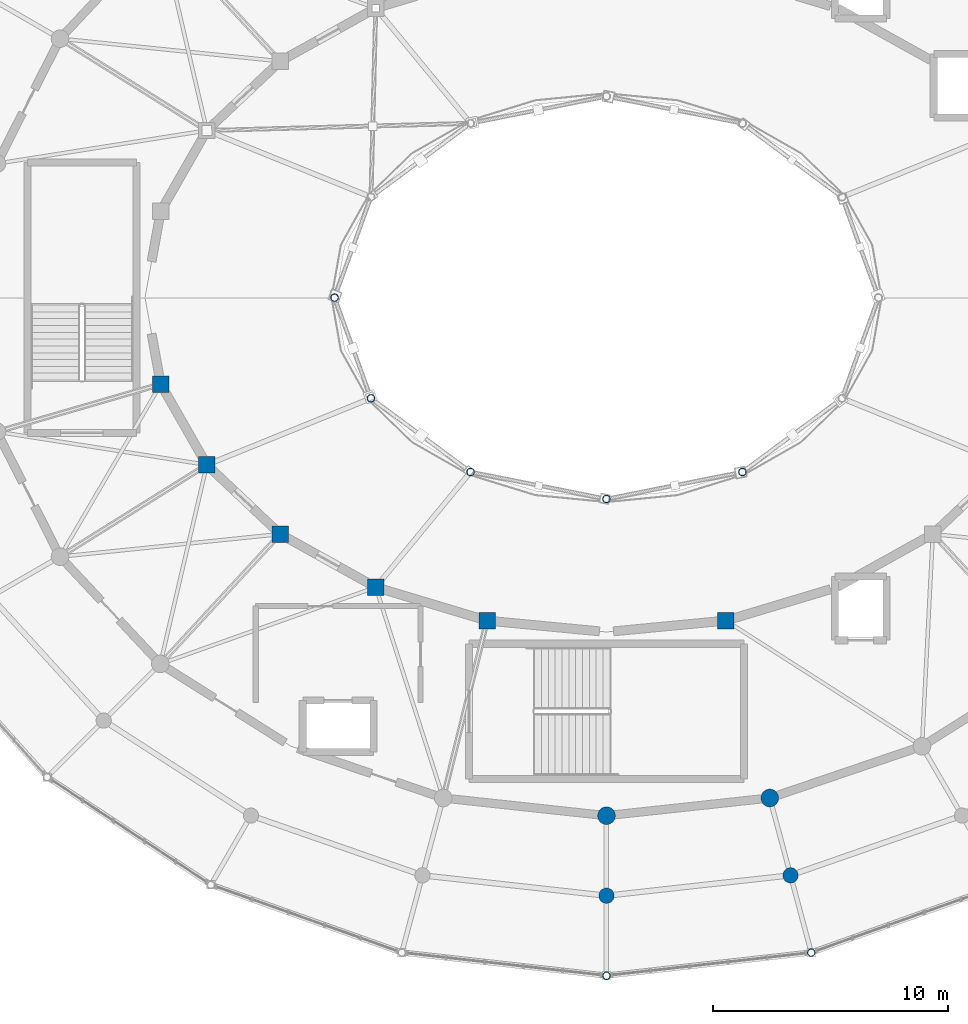
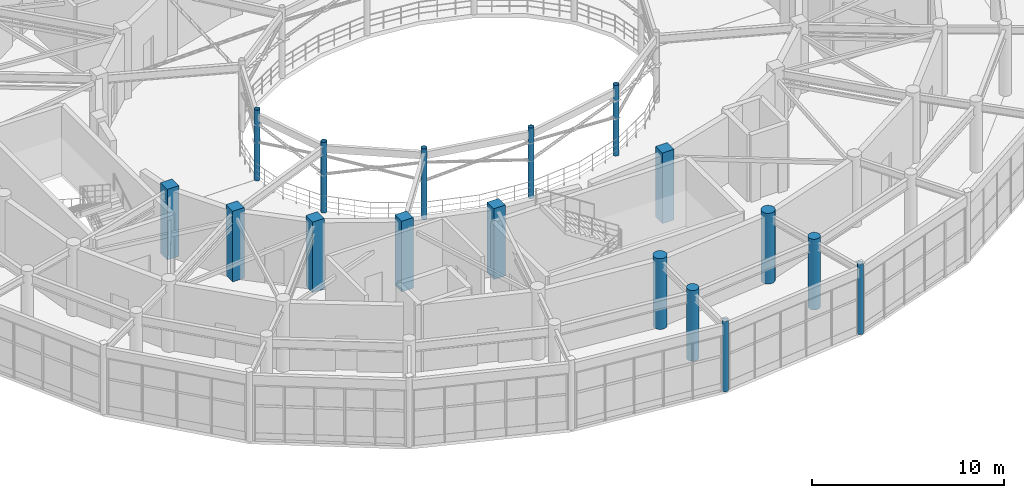
# One storey, part 4 of 60: 17 columns.
"""IFC4 building model written with IfcOpenShell, lengths in metres."""

from ifc_helpers import new_model, si_unit, direction, frame, origin, origin_2d, place, context, subcontext, project, spatial, rectangle, circle, hollow_circle, extrude, material, material_profile, profile_set, type_object, element, save


model = new_model("IFC4")

# Units and contexts
model_context = context("Model", 3, precision=1e-05, world=origin(), true_north=direction((0.0, 1.0)))
body_context = subcontext(model_context, "Body", "Model", "MODEL_VIEW")
ifc_project = project(units=[si_unit("LENGTHUNIT", "METRE"), si_unit("AREAUNIT", "SQUARE_METRE"), si_unit("VOLUMEUNIT", "CUBIC_METRE"), si_unit("PLANEANGLEUNIT", "RADIAN"), si_unit("MASSUNIT", "GRAM", prefix="KILO")], contexts=[model_context])

# Site, building, storey
site_placement = place(None, origin())
site = spatial("IfcSite", under=ifc_project, at=site_placement, CompositionType="ELEMENT")
building_placement = place(site_placement, origin())
building = spatial("IfcBuilding", under=site, at=building_placement, Name="Cinderbank Siding Concert Hall", CompositionType="ELEMENT")
storey_placement = place(building_placement, frame((0.0, 0.0, 14.699951171875)))
storey = spatial("IfcBuildingStorey", under=building, at=storey_placement, Name="L04", CompositionType="ELEMENT", Elevation=14.699951171875)

# Columns
ifc_material_1 = material(Name="Structural steel hollow section AS/NZS 1163 Grade C350L0 (350 MPa)", Category="steel")
ifc_material_profile_1 = material_profile(ifc_material_1, hollow_circle(Radius=0.161865234375, WallThickness=0.0126953125, at=origin_2d()), Name="323.9x12.7CHS", Category="LoadBearing")
ifc_profile_set_1 = profile_set([ifc_material_profile_1], Name="Structural steel hollow section AS/NZS 1163 Grade C350L0 (350 MPa)")
column_type_1 = type_object("IfcColumnType", Name="C-CHS323 323.9x12.7CHS", PredefinedType="COLUMN", material=ifc_profile_set_1)
for number, where, z_axis, x_axis, name in (
    (1, (122.0, 15.199951171875, 0.0), (0.0, 0.0, 1.0), (1.0, 0.0, 0.0), "L04 Column COL-E4-19"),
    (2, (130.696044921875, 16.180908203125, 0.0), (0.0, 0.0, 1.0), (1.0, 0.0, 0.0), "L04 Column COL-E4-20"),
):
    element("IfcColumn", number, at=place(storey_placement, frame(where, z_axis=z_axis, x_axis=x_axis)), inside=storey, type_object=column_type_1, Name=name, PredefinedType="COLUMN", context=body_context, shape_type="SweptSolid", body=[
        extrude(hollow_circle(Radius=0.161865234375, WallThickness=0.0126953125, at=origin_2d()), origin(), (0.0, 0.0, 1.0), 4.47998046875),
    ])
for number, where, z_axis, x_axis, name in (
    (3, (110.449951171875, 44.0, 0.0), (0.0, 0.0, 1.0), (1.0, 0.0, 0.0), "L04 Column COL-E0-13"),
    (4, (111.9970703125, 39.72509765625, 0.0), (0.0, 0.0, 1.0), (1.0, 0.0, 0.0), "L04 Column COL-E0-15"),
    (5, (116.22509765625, 36.595947265625, 0.0), (0.0, 0.0, 1.0), (1.0, 0.0, 0.0), "L04 Column COL-E0-17"),
    (6, (122.0, 35.449951171875, 0.0), (0.0, 0.0, 1.0), (1.0, 0.0, 0.0), "L04 Column COL-E0-19"),
    (7, (127.77490234375, 36.595947265625, 0.0), (0.0, 0.0, 1.0), (1.0, 0.0, 0.0), "L04 Column COL-E0-21"),
):
    element("IfcColumn", number, at=place(storey_placement, frame(where, z_axis=z_axis, x_axis=x_axis)), inside=storey, type_object=column_type_1, Name=name, PredefinedType="COLUMN", context=body_context, shape_type="SweptSolid", body=[
        extrude(hollow_circle(Radius=0.161865234375, WallThickness=0.0126953125, at=origin_2d()), origin(), (0.0, 0.0, 1.0), 4.5),
    ])
ifc_material_2 = material(Name="Reinforced concrete AS 3600 N50 (50 MPa)", Category="concrete")
ifc_material_profile_2 = material_profile(ifc_material_2, rectangle(XDim=0.699951171875, YDim=0.699951171875, at=origin_2d()), Name="RC-COL-700x700", Category="LoadBearing")
ifc_profile_set_2 = profile_set([ifc_material_profile_2], Name="Reinforced concrete AS 3600 N50 (50 MPa)")
column_type_2 = type_object("IfcColumnType", Name="C-RC700 RC-COL-700x700", PredefinedType="COLUMN", material=ifc_profile_set_2)
for number, where, z_axis, x_axis, name in (
    (8, (103.068115234375, 40.324951171875, 0.0), (0.0, 0.0, 1.0), (1.0, 0.0, 0.0), "L04 Column COL-E1-14"),
    (9, (105.02587890625, 36.89990234375, 0.0), (0.0, 0.0, 1.0), (1.0, 0.0, 0.0), "L04 Column COL-E1-15"),
    (10, (108.14111328125, 33.958984375, 0.0), (0.0, 0.0, 1.0), (1.0, 0.0, 0.0), "L04 Column COL-E1-16"),
    (11, (112.199951171875, 31.701904296875, 0.0), (0.0, 0.0, 1.0), (1.0, 0.0, 0.0), "L04 Column COL-E1-17"),
    (12, (116.927001953125, 30.283935546875, 0.0), (0.0, 0.0, 1.0), (1.0, 0.0, 0.0), "L04 Column COL-E1-18"),
    (13, (127.072998046875, 30.283935546875, 0.0), (0.0, 0.0, 1.0), (1.0, 0.0, 0.0), "L04 Column COL-E1-20"),
):
    element("IfcColumn", number, at=place(storey_placement, frame(where, z_axis=z_axis, x_axis=x_axis)), inside=storey, type_object=column_type_2, Name=name, PredefinedType="COLUMN", context=body_context, shape_type="SweptSolid", body=[
        extrude(rectangle(XDim=0.699951171875, YDim=0.699951171875, at=origin_2d()), origin(), (0.0, 0.0, 1.0), 4.5),
    ])
ifc_material_profile_3 = material_profile(ifc_material_2, circle(Radius=0.324951171875, at=origin_2d()), Name="RC-COL-650DIA", Category="LoadBearing")
ifc_profile_set_3 = profile_set([ifc_material_profile_3], Name="Reinforced concrete AS 3600 N50 (50 MPa)")
column_type_3 = type_object("IfcColumnType", Name="C-RCD650 RC-COL-650DIA", PredefinedType="COLUMN", material=ifc_profile_set_3)
for number, where, z_axis, x_axis, name in (
    (14, (122.0, 18.60009765625, 0.0), (0.0, 0.0, 1.0), (1.0, 0.0, 0.0), "L04 Column COL-E3-19"),
    (15, (129.81591796875, 19.465087890625, 0.0), (0.0, 0.0, 1.0), (1.0, 0.0, 0.0), "L04 Column COL-E3-20"),
):
    element("IfcColumn", number, at=place(storey_placement, frame(where, z_axis=z_axis, x_axis=x_axis)), inside=storey, type_object=column_type_3, Name=name, PredefinedType="COLUMN", context=body_context, shape_type="SweptSolid", body=[
        extrude(circle(Radius=0.324951171875, at=origin_2d()), origin(), (0.0, 0.0, 1.0), 4.5),
    ])
ifc_material_profile_4 = material_profile(ifc_material_2, circle(Radius=0.375, at=origin_2d()), Name="RC-COL-750DIA", Category="LoadBearing")
ifc_profile_set_4 = profile_set([ifc_material_profile_4], Name="Reinforced concrete AS 3600 N50 (50 MPa)")
column_type_4 = type_object("IfcColumnType", Name="C-RCD750 RC-COL-750DIA", PredefinedType="COLUMN", material=ifc_profile_set_4)
for number, where, z_axis, x_axis, name in (
    (16, (122.0, 22.0, 0.0), (0.0, 0.0, 1.0), (1.0, 0.0, 0.0), "L04 Column COL-E2-19"),
    (17, (128.93603515625, 22.75, 0.0), (0.0, 0.0, 1.0), (1.0, 0.0, 0.0), "L04 Column COL-E2-20"),
):
    element("IfcColumn", number, at=place(storey_placement, frame(where, z_axis=z_axis, x_axis=x_axis)), inside=storey, type_object=column_type_4, Name=name, PredefinedType="COLUMN", context=body_context, shape_type="SweptSolid", body=[
        extrude(circle(Radius=0.375, at=origin_2d()), origin(), (0.0, 0.0, 1.0), 4.5),
    ])

save(model, "model.ifc")
